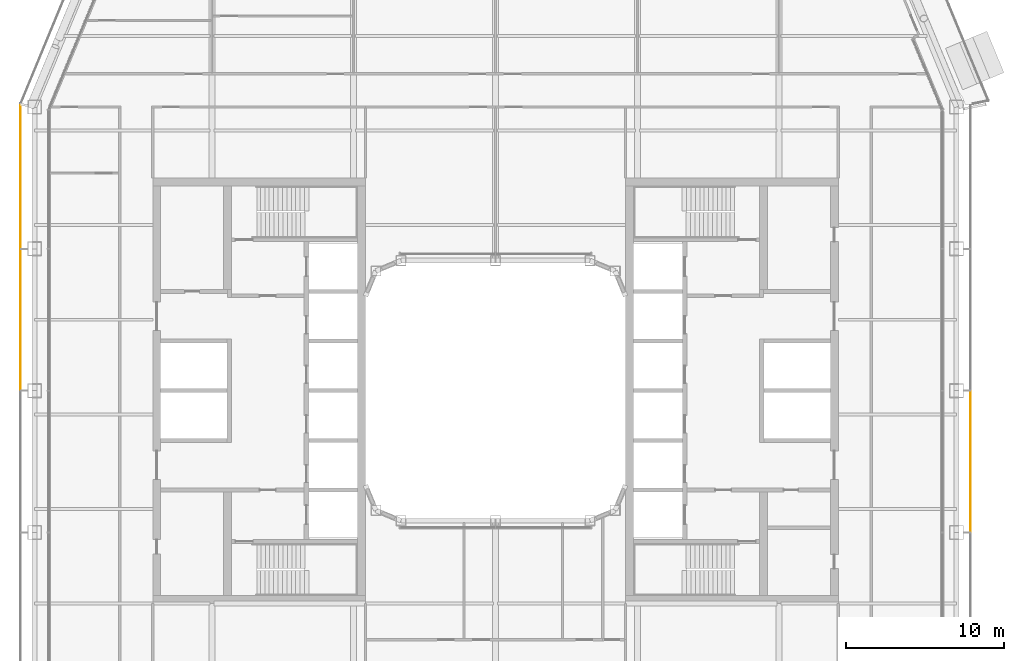
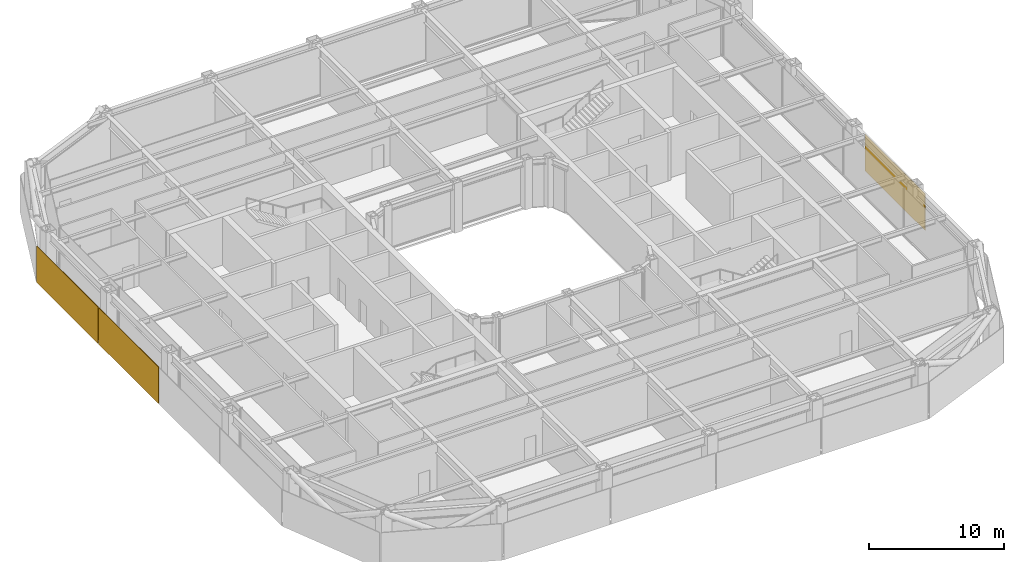
# One storey, part 20 of 23: 3 coverings.
"""IFC4 building model written with IfcOpenShell, lengths in metres."""

from ifc_helpers import new_model, si_unit, direction, frame, origin, origin_2d, place, context, subcontext, project, spatial, rectangle, extrude, material, layer, layer_set, type_object, element, save


model = new_model("IFC4")

# Units and contexts
model_context = context("Model", 3, precision=1e-05, world=origin(), true_north=direction((0.0, 1.0)))
body_context = subcontext(model_context, "Body", "Model", "MODEL_VIEW")
ifc_project = project(units=[si_unit("LENGTHUNIT", "METRE"), si_unit("AREAUNIT", "SQUARE_METRE"), si_unit("VOLUMEUNIT", "CUBIC_METRE"), si_unit("PLANEANGLEUNIT", "RADIAN"), si_unit("MASSUNIT", "GRAM", prefix="KILO")], contexts=[model_context])

# Site, building, storey
site_placement = place(None, origin())
site = spatial("IfcSite", under=ifc_project, at=site_placement, CompositionType="ELEMENT")
building_placement = place(site_placement, origin())
building = spatial("IfcBuilding", under=site, at=building_placement, Name="Siwar Civic Tower", CompositionType="ELEMENT")
storey_placement = place(building_placement, frame((0.0, 0.0, 167.699951171875)))
storey = spatial("IfcBuildingStorey", under=building, at=storey_placement, Name="L36", CompositionType="ELEMENT", Elevation=167.699951171875)

# Coverings
ifc_material_1 = material(Name="Perforated aluminium cassette, pale metal", Category="aluminium")
ifc_layer_1 = layer(ifc_material_1, 0.0400390625)
ifc_layer_set_1 = layer_set([ifc_layer_1], Name="Perforated aluminium cassette, pale metal")
covering_type_1 = type_object("IfcCoveringType", Name="ENV-OUTER SKIN OS-1", PredefinedType="CLADDING", material=ifc_layer_set_1)
covering_1_placement = place(storey_placement, frame((30.14990234375, -4.5, -0.14990234375), z_axis=(0.0, 0.0, 1.0), x_axis=(0.0, 1.0, 0.0)))
element("IfcCovering", 1, at=covering_1_placement, inside=storey, type_object=covering_type_1, Name="OUTER SKIN OS-1 E 2", PredefinedType="CLADDING", context=body_context, shape_type="SweptSolid", body=[
    extrude(rectangle(XDim=8.89990234375, YDim=0.0400390625, at=origin_2d()), origin(), (0.0, 0.0, 1.0), 3.300048828125),
])
ifc_material_2 = material(Name="Perforated aluminium cassette, pale metal", Category="aluminium")
ifc_layer_2 = layer(ifc_material_2, 0.050048828125)
ifc_layer_set_2 = layer_set([ifc_layer_2], Name="Perforated aluminium cassette, pale metal")
covering_type_2 = type_object("IfcCoveringType", Name="ENV-OUTER SKIN OS-3", PredefinedType="CLADDING", material=ifc_layer_set_2)
covering_2_placement = place(storey_placement, frame((-30.14990234375, 13.57958984375, -0.14990234375), z_axis=(0.0, 0.0, 1.0), x_axis=(0.0, -1.0, 0.0)))
element("IfcCovering", 2, at=covering_2_placement, inside=storey, type_object=covering_type_2, Name="OUTER SKIN OS-3 W 1", PredefinedType="CLADDING", context=body_context, shape_type="SweptSolid", body=[
    extrude(rectangle(XDim=9.05908203125, YDim=0.050048828125, at=origin_2d()), origin(), (0.0, 0.0, 1.0), 3.300048828125),
])
covering_3_placement = place(storey_placement, frame((-30.14990234375, 4.5, -0.14990234375), z_axis=(0.0, 0.0, 1.0), x_axis=(0.0, -1.0, 0.0)))
element("IfcCovering", 3, at=covering_3_placement, inside=storey, type_object=covering_type_2, Name="OUTER SKIN OS-3 W 2", PredefinedType="CLADDING", context=body_context, shape_type="SweptSolid", body=[
    extrude(rectangle(XDim=8.89990234375, YDim=0.050048828125, at=origin_2d()), origin(), (0.0, 0.0, 1.0), 3.300048828125),
])

save(model, "model.ifc")
